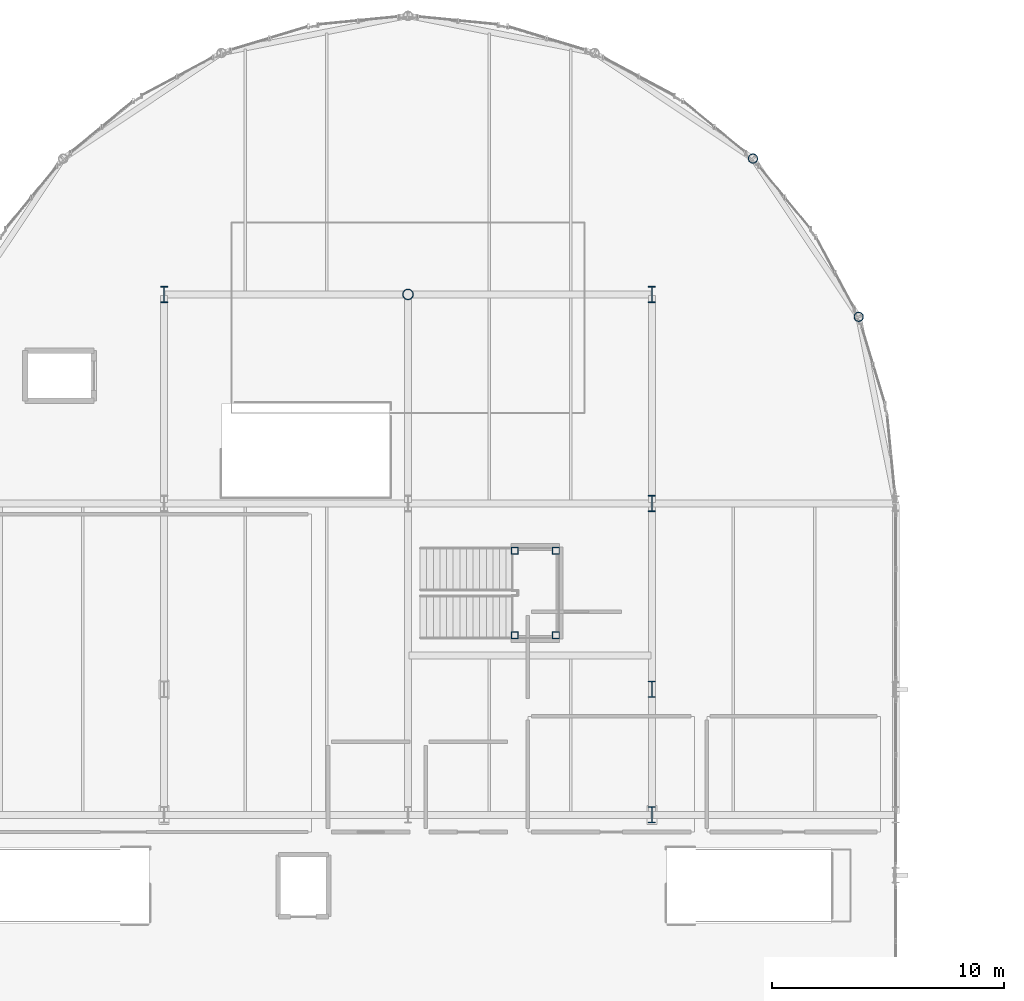
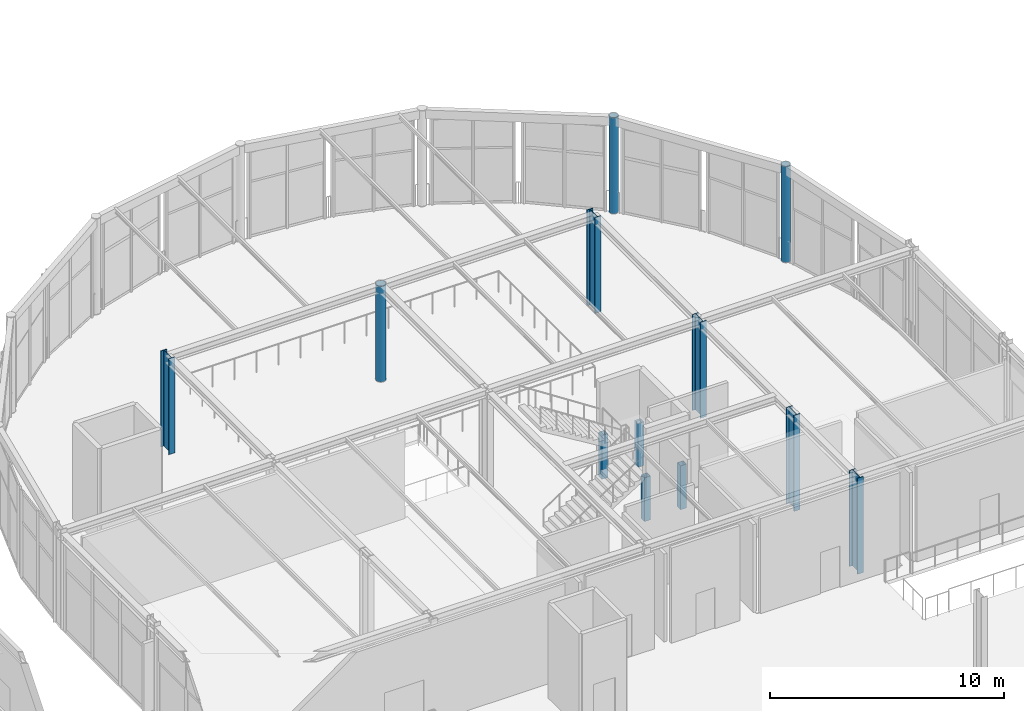
# One storey, part 7 of 195: 12 columns.
"""IFC4 building model written with IfcOpenShell, lengths in metres."""

from ifc_helpers import new_model, si_unit, direction, frame, origin, origin_2d, place, context, subcontext, project, spatial, hollow_rectangle, hollow_circle, i_section, extrude, material, material_profile, profile_set, type_object, element, save


model = new_model("IFC4")

# Units and contexts
model_context = context("Model", 3, precision=1e-05, world=origin(), true_north=direction((0.0, 1.0)))
body_context = subcontext(model_context, "Body", "Model", "MODEL_VIEW")
ifc_project = project(units=[si_unit("LENGTHUNIT", "METRE"), si_unit("AREAUNIT", "SQUARE_METRE"), si_unit("VOLUMEUNIT", "CUBIC_METRE"), si_unit("PLANEANGLEUNIT", "RADIAN"), si_unit("MASSUNIT", "GRAM", prefix="KILO")], contexts=[model_context])

# Site, building, storey
site_placement = place(None, origin())
site = spatial("IfcSite", under=ifc_project, at=site_placement, CompositionType="ELEMENT")
building_placement = place(site_placement, origin())
building = spatial("IfcBuilding", under=site, at=building_placement, Name="Marlcrest Central Station", CompositionType="ELEMENT")
storey_placement = place(building_placement, frame((0.0, 0.0, 9.800048828125)))
storey = spatial("IfcBuildingStorey", under=building, at=storey_placement, Name="L02", CompositionType="ELEMENT", Elevation=9.800048828125)

# Columns
ifc_material = material(Name="Steel S355", Category="steel")
ifc_material_profile_1 = material_profile(ifc_material, i_section(OverallWidth=0.300048828125, OverallDepth=0.699951171875, WebThickness=0.01708984375, FlangeThickness=0.031982421875, FilletRadius=0.027099609375, at=origin_2d()), Name="HEB 700")
ifc_profile_set_1 = profile_set([ifc_material_profile_1], Name="Steel S355")
column_type_1 = type_object("IfcColumnType", Name="SC-07", PredefinedType="COLUMN", material=ifc_profile_set_1)
for number, where, z_axis, x_axis, name in (
    (1, (118.5, 102.5, 0.0), (0.0, 0.0, 1.0), (1.0, 0.0, 0.0), "col-SC-07-L02-0765"),
    (2, (118.5, 110.5, 0.0), (0.0, 0.0, 1.0), (1.0, 0.0, 0.0), "col-SC-07-L02-0783"),
):
    element("IfcColumn", number, at=place(storey_placement, frame(where, z_axis=z_axis, x_axis=x_axis)), inside=storey, type_object=column_type_1, Name=name, PredefinedType="COLUMN", context=body_context, shape_type="SweptSolid", body=[
        extrude(i_section(OverallWidth=0.300048828125, OverallDepth=0.699951171875, WebThickness=0.01708984375, FlangeThickness=0.031982421875, FilletRadius=0.027099609375, at=origin_2d()), origin(), (0.0, 0.0, 1.0), 5.0),
    ])
for number, where, z_axis, x_axis, name in (
    (3, (97.5, 119.5, 0.0), (0.0, 0.0, 1.0), (1.0, 0.0, 0.0), "col-SC-07-L02-0873"),
    (4, (118.5, 119.5, 0.0), (0.0, 0.0, 1.0), (1.0, 0.0, 0.0), "col-SC-07-L02-0881"),
    (5, (118.5, 97.10009765625, 0.0), (0.0, 0.0, 1.0), (1.0, 0.0, 0.0), "col-SC-07-L02-0895"),
):
    element("IfcColumn", number, at=place(storey_placement, frame(where, z_axis=z_axis, x_axis=x_axis)), inside=storey, type_object=column_type_1, Name=name, PredefinedType="COLUMN", context=body_context, shape_type="SweptSolid", body=[
        extrude(i_section(OverallWidth=0.300048828125, OverallDepth=0.699951171875, WebThickness=0.01708984375, FlangeThickness=0.031982421875, FilletRadius=0.027099609375, at=origin_2d()), origin(), (0.0, 0.0, 1.0), 4.994873046875),
    ])
ifc_material_profile_2 = material_profile(ifc_material, hollow_circle(Radius=0.203125, WallThickness=0.02001953125, at=origin_2d()), Name="CHS 406.4x20")
ifc_profile_set_2 = profile_set([ifc_material_profile_2], Name="Steel S355")
column_type_2 = type_object("IfcColumnType", Name="SC-10", PredefinedType="COLUMN", material=ifc_profile_set_2)
for number, where, z_axis, x_axis, name in (
    (6, (122.84912109375, 125.34912109375, 0.0), (0.0, 0.0, 1.0), (1.0, 0.0, 0.0), "col-SC-10-L02-0865"),
    (7, (127.40087890625, 118.535888671875, 0.0), (0.0, 0.0, 1.0), (1.0, 0.0, 0.0), "col-SC-10-L02-0869"),
):
    element("IfcColumn", number, at=place(storey_placement, frame(where, z_axis=z_axis, x_axis=x_axis)), inside=storey, type_object=column_type_2, Name=name, PredefinedType="COLUMN", context=body_context, shape_type="SweptSolid", body=[
        extrude(hollow_circle(Radius=0.203125, WallThickness=0.02001953125, at=origin_2d()), origin(), (0.0, 0.0, 1.0), 5.010009765625),
    ])
ifc_material_profile_3 = material_profile(ifc_material, hollow_circle(Radius=0.228515625, WallThickness=0.02001953125, at=origin_2d()), Name="CHS 457x20")
ifc_profile_set_3 = profile_set([ifc_material_profile_3], Name="Steel S355")
column_type_3 = type_object("IfcColumnType", Name="SC-11", PredefinedType="COLUMN", material=ifc_profile_set_3)
column_placement = place(storey_placement, frame((108.0, 119.5, 0.0), z_axis=(0.0, 0.0, 1.0), x_axis=(1.0, 0.0, 0.0)))
element("IfcColumn", 8, at=column_placement, inside=storey, type_object=column_type_3, Name="col-SC-11-L02-0877", PredefinedType="COLUMN", context=body_context, shape_type="SweptSolid", body=[
    extrude(hollow_circle(Radius=0.228515625, WallThickness=0.02001953125, at=origin_2d()), origin(), (0.0, 0.0, 1.0), 4.994873046875),
])
ifc_material_profile_4 = material_profile(ifc_material, hollow_rectangle(XDim=0.300048828125, YDim=0.300048828125, WallThickness=0.01611328125, at=origin_2d()), Name="SHS 300x300x16")
ifc_profile_set_4 = profile_set([ifc_material_profile_4], Name="Steel S355")
column_type_4 = type_object("IfcColumnType", Name="SC-19", PredefinedType="COLUMN", material=ifc_profile_set_4)
for number, where, z_axis, x_axis, name in (
    (9, (112.590087890625, 104.830078125, 0.0), (0.0, 0.0, 1.0), (1.0, 0.0, 0.0), "htcol-lo-0036-0"),
    (10, (114.3701171875, 104.830078125, 0.0), (0.0, 0.0, 1.0), (1.0, 0.0, 0.0), "htcol-lo-0036-1"),
    (11, (114.3701171875, 108.469970703125, 0.0), (0.0, 0.0, 1.0), (1.0, 0.0, 0.0), "htcol-lo-0036-2"),
    (12, (112.590087890625, 108.469970703125, 0.0), (0.0, 0.0, 1.0), (1.0, 0.0, 0.0), "htcol-lo-0036-3"),
):
    element("IfcColumn", number, at=place(storey_placement, frame(where, z_axis=z_axis, x_axis=x_axis)), inside=storey, type_object=column_type_4, Name=name, PredefinedType="COLUMN", context=body_context, shape_type="SweptSolid", body=[
        extrude(hollow_rectangle(XDim=0.300048828125, YDim=0.300048828125, WallThickness=0.01611328125, at=origin_2d()), origin(), (0.0, 0.0, 1.0), 2.280029296875),
    ])

save(model, "model.ifc")
